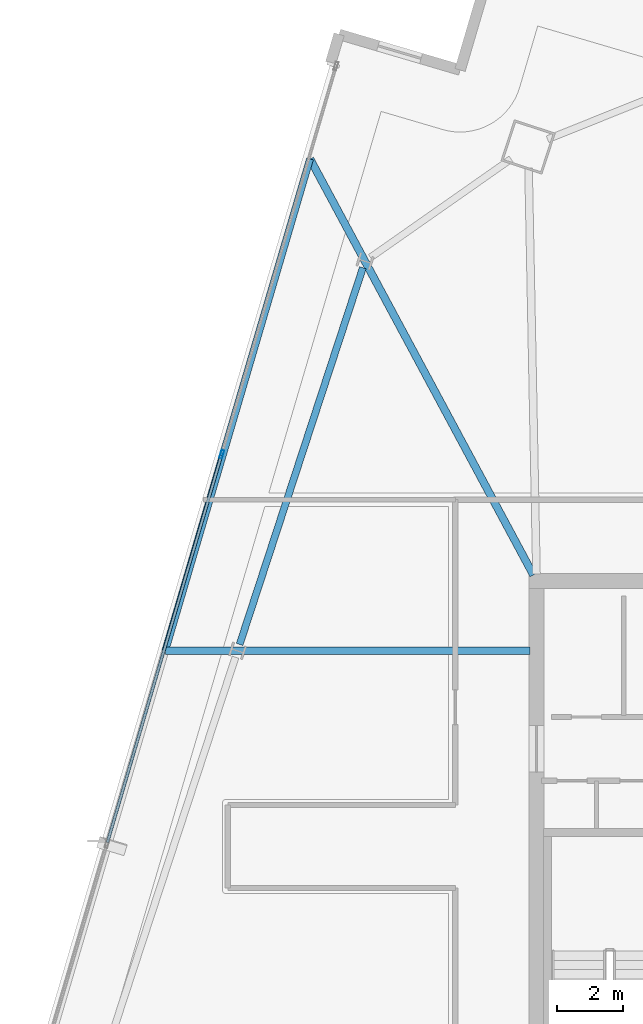
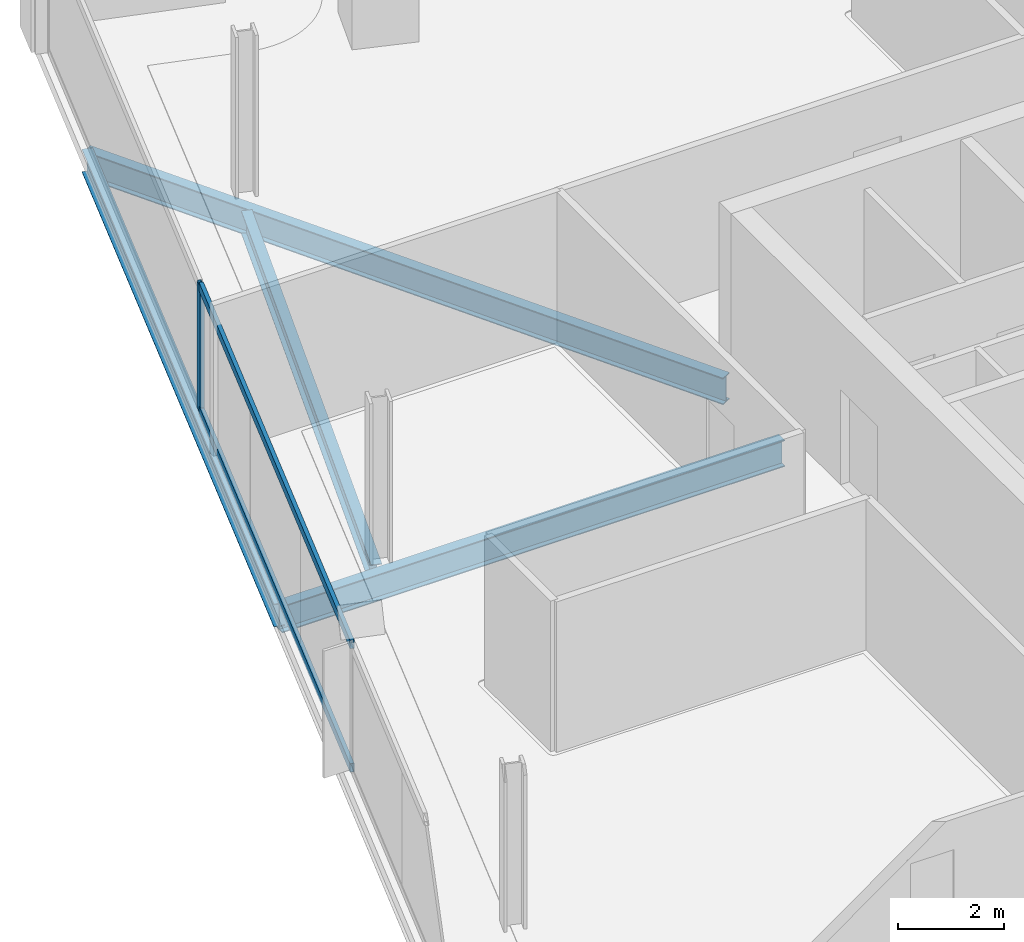
# One storey, part 13 of 26: 4 beams, 3 members, 1 element without a shape of its own.
"""IFC4 building model written with IfcOpenShell, lengths in metres."""

from ifc_helpers import new_model, si_unit, direction, frame, origin, origin_2d, place, context, subcontext, project, spatial, hollow_rectangle, i_section, extrude, material, material_profile, profile_set, type_object, element, aggregate, save


model = new_model("IFC4")

# Units and contexts
model_context = context("Model", 3, precision=1e-05, world=origin(), true_north=direction((0.0, 1.0)))
body_context = subcontext(model_context, "Body", "Model", "MODEL_VIEW")
ifc_project = project(units=[si_unit("LENGTHUNIT", "METRE"), si_unit("AREAUNIT", "SQUARE_METRE"), si_unit("VOLUMEUNIT", "CUBIC_METRE"), si_unit("PLANEANGLEUNIT", "RADIAN"), si_unit("MASSUNIT", "GRAM", prefix="KILO")], contexts=[model_context])

# Site, building, storey
site_placement = place(None, origin())
site = spatial("IfcSite", under=ifc_project, at=site_placement, CompositionType="ELEMENT")
building_placement = place(site_placement, origin())
building = spatial("IfcBuilding", under=site, at=building_placement, Name="Haldenkirk Collegiate Tower", CompositionType="ELEMENT")
storey_placement = place(building_placement, frame((0.0, 0.0, 274.949951171875)))
storey = spatial("IfcBuildingStorey", under=building, at=storey_placement, Name="L69", CompositionType="ELEMENT", Elevation=274.949951171875)

# Beams
ifc_material_1 = material(Name="Steel ASTM A992 Grade 50", Category="steel")
ifc_material_profile_1 = material_profile(ifc_material_1, i_section(OverallWidth=0.22998046875, OverallDepth=0.616943359375, WebThickness=0.01318359375, FlangeThickness=0.022216796875, at=origin_2d()), Name="W24X94")
ifc_profile_set_1 = profile_set([ifc_material_profile_1], Name="Steel ASTM A992 Grade 50")
beam_type_1 = type_object("IfcBeamType", Name="BM-GIRDER-W24X94", PredefinedType="BEAM", material=ifc_profile_set_1)
beam_1_placement = place(storey_placement, frame((20.17431640625, 46.713134765625, -0.578369140625), z_axis=(0.473037086787, -0.88104251573, 0.0), x_axis=(0.88104251573, 0.473037086787, 0.0)))
element("IfcBeam", 1, at=beam_1_placement, inside=storey, type_object=beam_type_1, Name="L69 primary floor girder 11", PredefinedType="BEAM", context=body_context, shape_type="SweptSolid", body=[
    extrude(i_section(OverallWidth=0.22998046875, OverallDepth=0.616943359375, WebThickness=0.01318359375, FlangeThickness=0.022216796875, at=origin_2d()), origin(), (0.0, 0.0, 1.0), 14.224609375),
])
beam_2_placement = place(storey_placement, frame((15.812744140625, 31.8935546875, -0.578369140625), z_axis=(1.0, 0.0, 0.0), x_axis=(0.0, 1.0, 0.0)))
element("IfcBeam", 2, at=beam_2_placement, inside=storey, type_object=beam_type_1, Name="L69 primary floor girder 12", PredefinedType="BEAM", context=body_context, shape_type="SweptSolid", body=[
    extrude(i_section(OverallWidth=0.22998046875, OverallDepth=0.616943359375, WebThickness=0.01318359375, FlangeThickness=0.022216796875, at=origin_2d()), origin(), (0.0, 0.0, 1.0), 10.982177734375),
])
ifc_material_profile_2 = material_profile(ifc_material_1, i_section(OverallWidth=0.2099609375, OverallDepth=0.537109375, WebThickness=0.010986328125, FlangeThickness=0.017333984375, at=origin_2d()), Name="W21X68")
ifc_profile_set_2 = profile_set([ifc_material_profile_2], Name="Steel ASTM A992 Grade 50")
beam_type_2 = type_object("IfcBeamType", Name="BM-SPANDREL-W21X68", PredefinedType="SPANDREL", material=ifc_profile_set_2)
beam_3_placement = place(storey_placement, frame((21.76708984375, 43.436767578125, -0.538330078125), z_axis=(-0.311010188249, -0.950406577631, 0.0), x_axis=(0.950406577631, -0.311010188249, 0.0)))
element("IfcBeam", 3, at=beam_3_placement, inside=storey, type_object=beam_type_2, Name="L69 perimeter spandrel beam 10", PredefinedType="SPANDREL", context=body_context, shape_type="SweptSolid", body=[
    extrude(i_section(OverallWidth=0.2099609375, OverallDepth=0.537109375, WebThickness=0.010986328125, FlangeThickness=0.017333984375, at=origin_2d()), origin(), (0.0, 0.0, 1.0), 11.94287109375),
])
beam_4_placement = place(storey_placement, frame((20.17431640625, 46.713134765625, -0.538330078125), z_axis=(-0.282337445002, -0.95931515528, 0.0), x_axis=(0.95931515528, -0.282337445002, 0.0)))
element("IfcBeam", 4, at=beam_4_placement, inside=storey, type_object=beam_type_2, Name="L69 outer facade edge beam 3A", PredefinedType="SPANDREL", context=body_context, shape_type="SweptSolid", body=[
    extrude(i_section(OverallWidth=0.2099609375, OverallDepth=0.537109375, WebThickness=0.010986328125, FlangeThickness=0.017333984375, at=origin_2d()), origin(), (0.0, 0.0, 1.0), 15.447998046875),
])

# Curtain wall, members
ifc_material_2 = material(Name="Anodised architectural bronze aluminium", Category="aluminium")
curtain_wall_type = type_object("IfcCurtainWallType", Name="CW-SYS1B-CONVEX-HI", PredefinedType="USERDEFINED", material=ifc_material_2)
curtain_wall_placement = place(storey_placement, origin())
curtain_wall = element("IfcCurtainWall", 5, at=curtain_wall_placement, inside=storey, type_object=curtain_wall_type, Name="L69 Upper tower high-wind convex bronze unitised curtain wall", ObjectType="UNITISED CURTAIN WALL", PredefinedType="USERDEFINED")
ifc_material_profile_3 = material_profile(ifc_material_2, hollow_rectangle(XDim=0.0849609375, YDim=0.25, WallThickness=0.0048828125, at=origin_2d()), Name="CW-MUL-1B")
ifc_profile_set_3 = profile_set([ifc_material_profile_3], Name="Anodised architectural bronze aluminium")
member_type_1 = type_object("IfcMemberType", Name="CW-MUL-1B", PredefinedType="MULLION", material=ifc_profile_set_3)
member_1_placement = place(storey_placement, frame((17.514404296875, 37.816650390625, 0.0), z_axis=(0.0, 0.0, 1.0), x_axis=(-0.959313201859, 0.282344082174, 0.0)))
member_1 = element("IfcMember", 6, at=member_1_placement, type_object=member_type_1, Name="CW-1B mullion 3", PredefinedType="MULLION", context=body_context, shape_type="SweptSolid", body=[
    extrude(hollow_rectangle(XDim=0.0849609375, YDim=0.25, WallThickness=0.0048828125, at=origin_2d()), origin(), (0.0, 0.0, 1.0), 2.93798828125),
])
ifc_material_profile_4 = material_profile(ifc_material_2, hollow_rectangle(XDim=0.0849609375, YDim=0.199951171875, WallThickness=0.0048828125, at=origin_2d()), Name="CW-TRN-1B")
ifc_profile_set_4 = profile_set([ifc_material_profile_4], Name="Anodised architectural bronze aluminium")
member_type_2 = type_object("IfcMemberType", Name="CW-TRN-1B", PredefinedType="USERDEFINED", material=ifc_profile_set_4)
member_2_placement = place(storey_placement, frame((14.072265625, 26.121826171875, 0.04248046875), z_axis=(0.282338229261, 0.959314924463, 0.0), x_axis=(-0.959314924463, 0.282338229261, 0.0)))
member_2 = element("IfcMember", 7, at=member_2_placement, type_object=member_type_2, Name="CW-1B transom 2.1", ObjectType="TRANSOM", PredefinedType="USERDEFINED", context=body_context, shape_type="SweptSolid", body=[
    extrude(hollow_rectangle(XDim=0.0849609375, YDim=0.199951171875, WallThickness=0.0048828125, at=origin_2d()), origin(), (0.0, 0.0, 1.0), 12.148193359375),
])
member_3_placement = place(storey_placement, frame((14.072265625, 26.121826171875, 2.8955078125), z_axis=(0.282338229261, 0.959314924463, 0.0), x_axis=(-0.959314924463, 0.282338229261, 0.0)))
member_3 = element("IfcMember", 8, at=member_3_placement, type_object=member_type_2, Name="CW-1B transom 2.2", ObjectType="TRANSOM", PredefinedType="USERDEFINED", context=body_context, shape_type="SweptSolid", body=[
    extrude(hollow_rectangle(XDim=0.0849609375, YDim=0.199951171875, WallThickness=0.0048828125, at=origin_2d()), origin(), (0.0, 0.0, 1.0), 12.148193359375),
])
aggregate(curtain_wall, [member_1, member_2, member_3])

save(model, "model.ifc")
